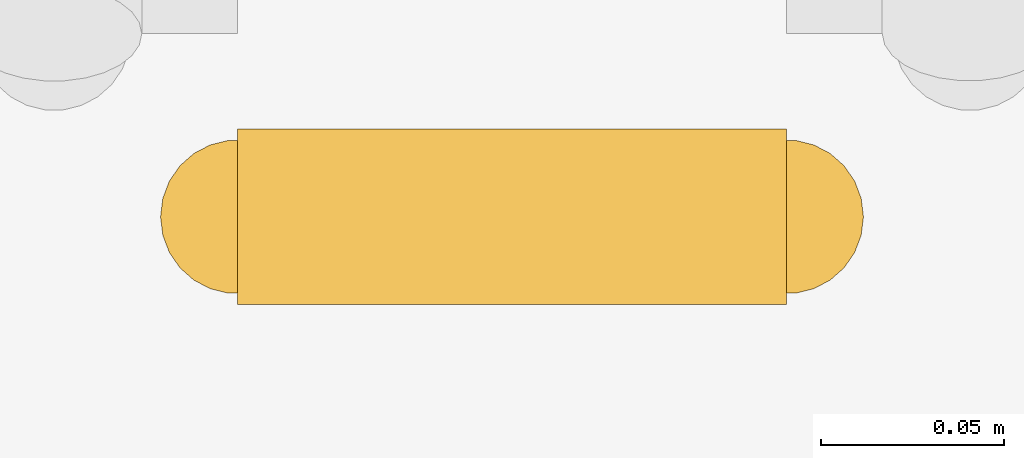
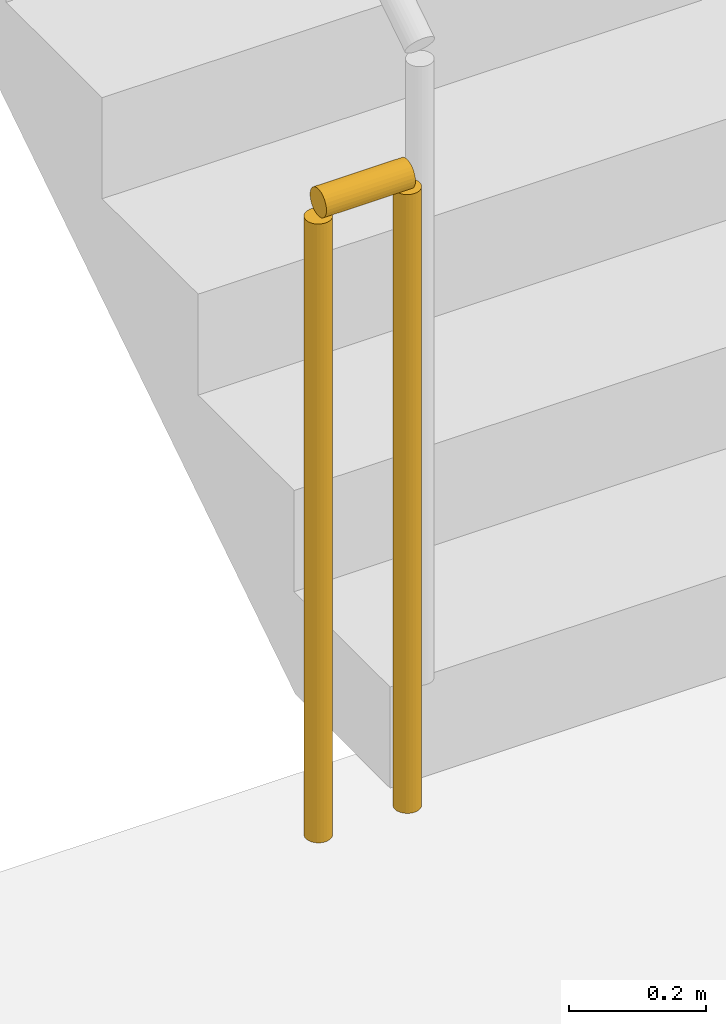
# One storey, part 15 of 24: 1 railing.
"""IFC4 building model written with IfcOpenShell, lengths in metres."""

from ifc_helpers import new_model, si_unit, direction, frame, origin, origin_2d, place, context, subcontext, project, spatial, circle, extrude, material, type_object, element, save


model = new_model("IFC4")

# Units and contexts
model_context = context("Model", 3, precision=1e-05, world=origin(), true_north=direction((0.0, 1.0)))
body_context = subcontext(model_context, "Body", "Model", "MODEL_VIEW")
ifc_project = project(units=[si_unit("LENGTHUNIT", "METRE"), si_unit("AREAUNIT", "SQUARE_METRE"), si_unit("VOLUMEUNIT", "CUBIC_METRE"), si_unit("PLANEANGLEUNIT", "RADIAN"), si_unit("MASSUNIT", "GRAM", prefix="KILO")], contexts=[model_context])

# Site, building, storey
site_placement = place(None, origin())
site = spatial("IfcSite", under=ifc_project, at=site_placement, CompositionType="ELEMENT")
building_placement = place(site_placement, origin())
building = spatial("IfcBuilding", under=site, at=building_placement, Name="Trevonay Congress Spire", CompositionType="ELEMENT")
storey_placement = place(building_placement, origin())
storey = spatial("IfcBuildingStorey", under=building, at=storey_placement, Name="L00", CompositionType="ELEMENT", Elevation=0.0)

# Railing
ifc_material = material(Name="Pale Anodised Aluminium EN AW-6063-T6", Category="aluminium")
railing_type = type_object("IfcRailingType", Name="RAL-STAIR-GUARD-110", PredefinedType="GUARDRAIL", material=ifc_material)
railing_placement = place(storey_placement, frame((-5.10009765625, -5.300048828125, 0.0)))
element("IfcRailing", 1, at=railing_placement, inside=storey, type_object=railing_type, Name="L00 ST-1 stair guard 4", PredefinedType="GUARDRAIL", context=body_context, shape_type="SweptSolid", body=[
    extrude(circle(Radius=0.02392578125, at=origin_2d()), frame((0.0, 0.0, 1.1259765625), z_axis=(-1.0, 0.0, 0.0), x_axis=(0.0, -1.0, 0.0)), (0.0, 0.0, 1.0), 0.14990234375),
    extrude(circle(Radius=0.02099609375, at=origin_2d()), origin(), (0.0, 0.0, 1.0), 1.101806640625),
    extrude(circle(Radius=0.02099609375, at=origin_2d()), frame((-0.14990234375, 0.0, 0.0)), (0.0, 0.0, 1.0), 1.101806640625),
])

save(model, "model.ifc")
